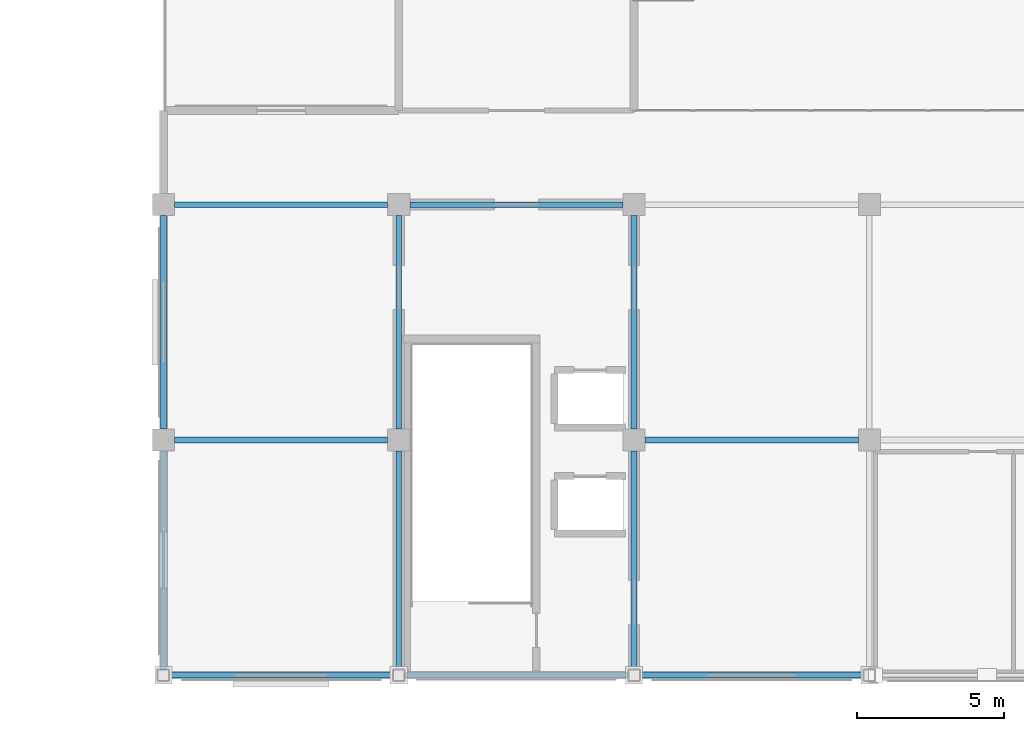
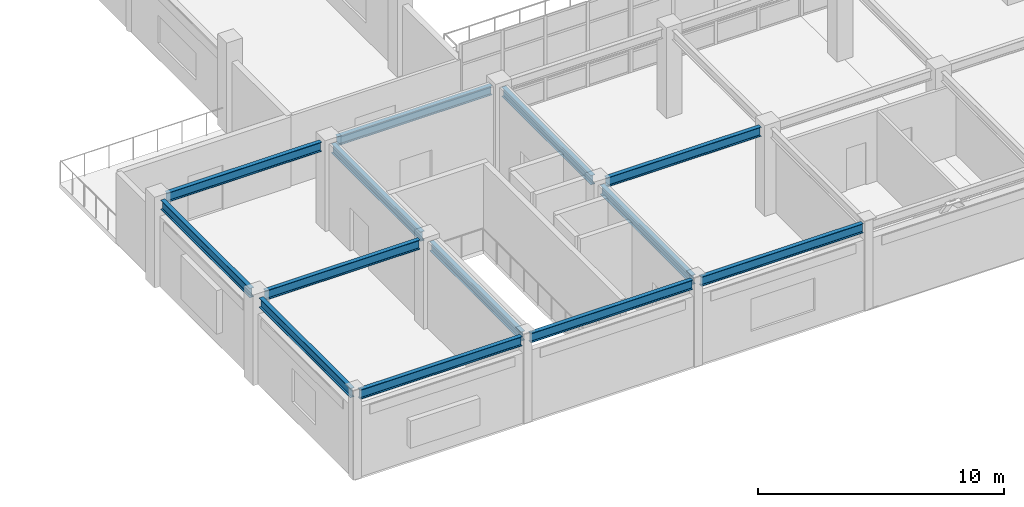
# One storey, part 8 of 42: 13 beams.
"""IFC4 building model written with IfcOpenShell, lengths in metres."""

from ifc_helpers import new_model, si_unit, direction, frame, origin, origin_2d, place, context, subcontext, project, spatial, i_section, extrude, material, material_profile, profile_set, type_object, element, save


model = new_model("IFC4")

# Units and contexts
model_context = context("Model", 3, precision=1e-05, world=origin(), true_north=direction((0.0, 1.0)))
body_context = subcontext(model_context, "Body", "Model", "MODEL_VIEW")
ifc_project = project(units=[si_unit("LENGTHUNIT", "METRE"), si_unit("AREAUNIT", "SQUARE_METRE"), si_unit("VOLUMEUNIT", "CUBIC_METRE"), si_unit("PLANEANGLEUNIT", "RADIAN"), si_unit("MASSUNIT", "GRAM", prefix="KILO")], contexts=[model_context])

# Site, building, storey
site_placement = place(None, origin())
site = spatial("IfcSite", under=ifc_project, at=site_placement, CompositionType="ELEMENT")
building_placement = place(site_placement, origin())
building = spatial("IfcBuilding", under=site, at=building_placement, Name="Solmirada Galleria", CompositionType="ELEMENT")
storey_placement = place(building_placement, frame((0.0, 0.0, 28.39990234375)))
storey = spatial("IfcBuildingStorey", under=building, at=storey_placement, Name="L06", CompositionType="ELEMENT", Elevation=28.39990234375)

# Beams
ifc_material = material(Name="Steel S355 / ASTM A992 Grade 50", Category="steel")
ifc_material_profile = material_profile(ifc_material, i_section(OverallWidth=0.193115234375, OverallDepth=0.466064453125, WebThickness=0.011474609375, FlangeThickness=0.01904296875, FilletRadius=0.013916015625, at=origin_2d()), Name="W18X65")
ifc_profile_set = profile_set([ifc_material_profile], Name="Steel S355 / ASTM A992 Grade 50")
beam_type = type_object("IfcBeamType", Name="BM-GIRD-W18C", PredefinedType="BEAM", material=ifc_profile_set)
beam_1_placement = place(storey_placement, frame((80.202880859375, 0.0, 4.0400390625), z_axis=(1.0, 0.0, 0.0), x_axis=(0.0, 1.0, 0.0)))
element("IfcBeam", 1, at=beam_1_placement, inside=storey, type_object=beam_type, Name="South roof girder X=80..88", PredefinedType="BEAM", context=body_context, shape_type="SweptSolid", body=[
    extrude(i_section(OverallWidth=0.193115234375, OverallDepth=0.466064453125, WebThickness=0.011474609375, FlangeThickness=0.01904296875, FilletRadius=0.013916015625, at=origin_2d()), origin(), (0.0, 0.0, 1.0), 7.59423828125),
])
for number, where, z_axis, x_axis, name in (
    (2, (80.375, 8.0, 4.0400390625), (1.0, 0.0, 0.0), (0.0, 1.0, 0.0), "South roof girder X=80..88"),
    (3, (80.375, 16.0, 4.0400390625), (1.0, 0.0, 0.0), (0.0, 1.0, 0.0), "South roof girder X=80..88"),
):
    element("IfcBeam", number, at=place(storey_placement, frame(where, z_axis=z_axis, x_axis=x_axis)), inside=storey, type_object=beam_type, Name=name, PredefinedType="BEAM", context=body_context, shape_type="SweptSolid", body=[
        extrude(i_section(OverallWidth=0.193115234375, OverallDepth=0.466064453125, WebThickness=0.011474609375, FlangeThickness=0.01904296875, FilletRadius=0.013916015625, at=origin_2d()), origin(), (0.0, 0.0, 1.0), 7.25),
    ])
beam_2_placement = place(storey_placement, frame((88.202880859375, 0.0, 4.0400390625), z_axis=(1.0, 0.0, 0.0), x_axis=(0.0, 1.0, 0.0)))
element("IfcBeam", 4, at=beam_2_placement, inside=storey, type_object=beam_type, Name="South roof girder X=88..96", PredefinedType="BEAM", context=body_context, shape_type="SweptSolid", body=[
    extrude(i_section(OverallWidth=0.193115234375, OverallDepth=0.466064453125, WebThickness=0.011474609375, FlangeThickness=0.01904296875, FilletRadius=0.013916015625, at=origin_2d()), origin(), (0.0, 0.0, 1.0), 7.59423828125),
])
beam_3_placement = place(storey_placement, frame((88.375, 16.0, 4.0400390625), z_axis=(1.0, 0.0, 0.0), x_axis=(0.0, 1.0, 0.0)))
element("IfcBeam", 5, at=beam_3_placement, inside=storey, type_object=beam_type, Name="South roof girder X=88..96", PredefinedType="BEAM", context=body_context, shape_type="SweptSolid", body=[
    extrude(i_section(OverallWidth=0.193115234375, OverallDepth=0.466064453125, WebThickness=0.011474609375, FlangeThickness=0.01904296875, FilletRadius=0.013916015625, at=origin_2d()), origin(), (0.0, 0.0, 1.0), 7.25),
])
beam_4_placement = place(storey_placement, frame((96.202880859375, 0.0, 4.0400390625), z_axis=(1.0, 0.0, 0.0), x_axis=(0.0, 1.0, 0.0)))
element("IfcBeam", 6, at=beam_4_placement, inside=storey, type_object=beam_type, Name="South roof girder X=96..104", PredefinedType="BEAM", context=body_context, shape_type="SweptSolid", body=[
    extrude(i_section(OverallWidth=0.193115234375, OverallDepth=0.466064453125, WebThickness=0.011474609375, FlangeThickness=0.01904296875, FilletRadius=0.013916015625, at=origin_2d()), origin(), (0.0, 0.0, 1.0), 7.59423828125),
])
beam_5_placement = place(storey_placement, frame((96.375, 8.0, 4.0400390625), z_axis=(1.0, 0.0, 0.0), x_axis=(0.0, 1.0, 0.0)))
element("IfcBeam", 7, at=beam_5_placement, inside=storey, type_object=beam_type, Name="South roof girder X=96..104", PredefinedType="BEAM", context=body_context, shape_type="SweptSolid", body=[
    extrude(i_section(OverallWidth=0.193115234375, OverallDepth=0.466064453125, WebThickness=0.011474609375, FlangeThickness=0.01904296875, FilletRadius=0.013916015625, at=origin_2d()), origin(), (0.0, 0.0, 1.0), 7.25),
])
beam_6_placement = place(storey_placement, frame((80.0, 0.202880859375, 4.0400390625), z_axis=(0.0, 1.0, 0.0), x_axis=(-1.0, 0.0, 0.0)))
element("IfcBeam", 8, at=beam_6_placement, inside=storey, type_object=beam_type, Name="South roof girder Y=0..8", PredefinedType="BEAM", context=body_context, shape_type="SweptSolid", body=[
    extrude(i_section(OverallWidth=0.193115234375, OverallDepth=0.466064453125, WebThickness=0.011474609375, FlangeThickness=0.01904296875, FilletRadius=0.013916015625, at=origin_2d()), origin(), (0.0, 0.0, 1.0), 7.422119140625),
])
beam_7_placement = place(storey_placement, frame((80.0, 8.375, 4.0400390625), z_axis=(0.0, 1.0, 0.0), x_axis=(-1.0, 0.0, 0.0)))
element("IfcBeam", 9, at=beam_7_placement, inside=storey, type_object=beam_type, Name="South roof girder Y=8..16", PredefinedType="BEAM", context=body_context, shape_type="SweptSolid", body=[
    extrude(i_section(OverallWidth=0.193115234375, OverallDepth=0.466064453125, WebThickness=0.011474609375, FlangeThickness=0.01904296875, FilletRadius=0.013916015625, at=origin_2d()), origin(), (0.0, 0.0, 1.0), 7.25),
])
beam_8_placement = place(storey_placement, frame((88.0, 0.202880859375, 4.0400390625), z_axis=(0.0, 1.0, 0.0), x_axis=(-1.0, 0.0, 0.0)))
element("IfcBeam", 10, at=beam_8_placement, inside=storey, type_object=beam_type, Name="South roof girder Y=0..8", PredefinedType="BEAM", context=body_context, shape_type="SweptSolid", body=[
    extrude(i_section(OverallWidth=0.193115234375, OverallDepth=0.466064453125, WebThickness=0.011474609375, FlangeThickness=0.01904296875, FilletRadius=0.013916015625, at=origin_2d()), origin(), (0.0, 0.0, 1.0), 7.422119140625),
])
beam_9_placement = place(storey_placement, frame((88.0, 8.375, 4.0400390625), z_axis=(0.0, 1.0, 0.0), x_axis=(-1.0, 0.0, 0.0)))
element("IfcBeam", 11, at=beam_9_placement, inside=storey, type_object=beam_type, Name="South roof girder Y=8..16", PredefinedType="BEAM", context=body_context, shape_type="SweptSolid", body=[
    extrude(i_section(OverallWidth=0.193115234375, OverallDepth=0.466064453125, WebThickness=0.011474609375, FlangeThickness=0.01904296875, FilletRadius=0.013916015625, at=origin_2d()), origin(), (0.0, 0.0, 1.0), 7.25),
])
beam_10_placement = place(storey_placement, frame((96.0, 0.202880859375, 4.0400390625), z_axis=(0.0, 1.0, 0.0), x_axis=(-1.0, 0.0, 0.0)))
element("IfcBeam", 12, at=beam_10_placement, inside=storey, type_object=beam_type, Name="South roof girder Y=0..8", PredefinedType="BEAM", context=body_context, shape_type="SweptSolid", body=[
    extrude(i_section(OverallWidth=0.193115234375, OverallDepth=0.466064453125, WebThickness=0.011474609375, FlangeThickness=0.01904296875, FilletRadius=0.013916015625, at=origin_2d()), origin(), (0.0, 0.0, 1.0), 7.422119140625),
])
beam_11_placement = place(storey_placement, frame((96.0, 8.375, 4.0400390625), z_axis=(0.0, 1.0, 0.0), x_axis=(-1.0, 0.0, 0.0)))
element("IfcBeam", 13, at=beam_11_placement, inside=storey, type_object=beam_type, Name="South roof girder Y=8..16", PredefinedType="BEAM", context=body_context, shape_type="SweptSolid", body=[
    extrude(i_section(OverallWidth=0.193115234375, OverallDepth=0.466064453125, WebThickness=0.011474609375, FlangeThickness=0.01904296875, FilletRadius=0.013916015625, at=origin_2d()), origin(), (0.0, 0.0, 1.0), 7.25),
])

save(model, "model.ifc")
